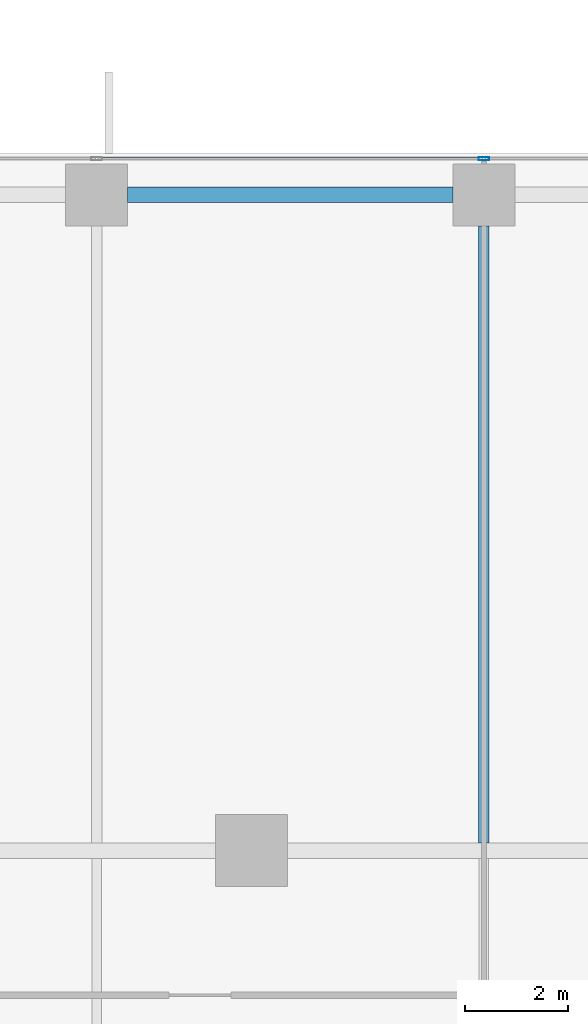
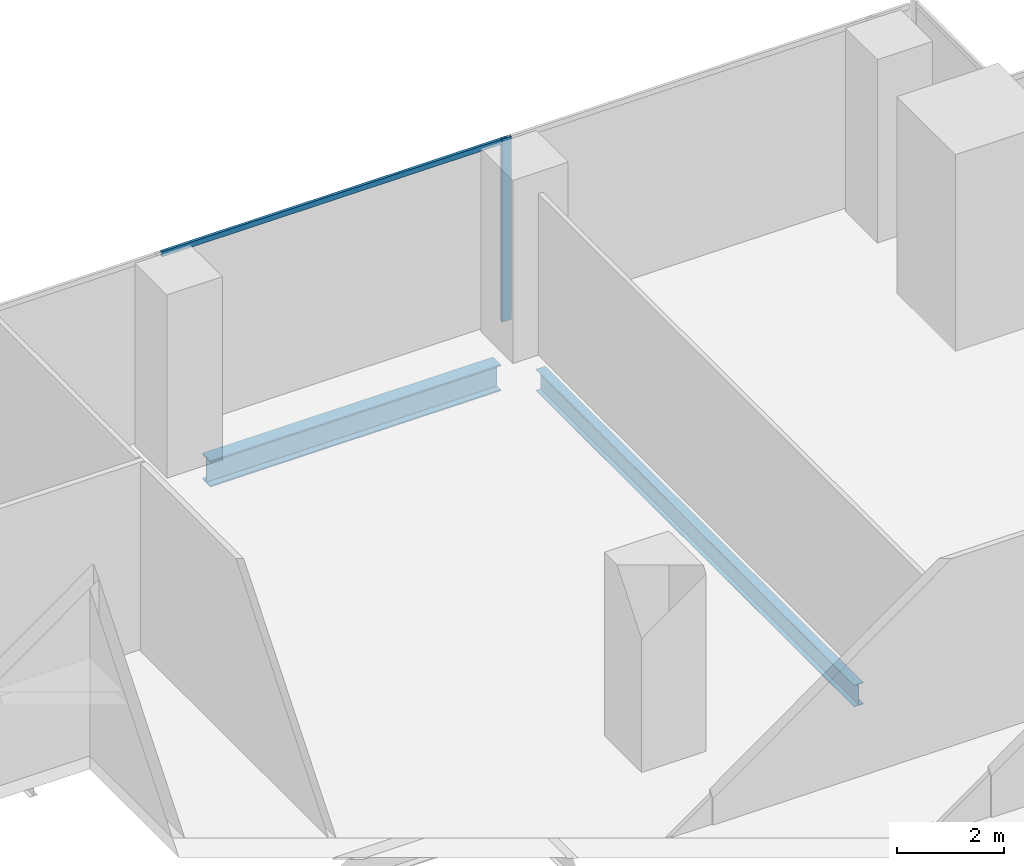
# One storey, part 19 of 33: 2 beams, 2 members, 1 element without a shape of its own.
"""IFC4 building model written with IfcOpenShell, lengths in metres."""

from ifc_helpers import new_model, si_unit, direction, frame, origin, origin_2d, place, context, subcontext, project, spatial, hollow_rectangle, i_section, extrude, source, transform, mapped, material, material_profile, profile_set, type_object, element, aggregate, save


model = new_model("IFC4")

# Units and contexts
model_context = context("Model", 3, precision=1e-05, world=origin(), true_north=direction((0.0, 1.0)))
body_context = subcontext(model_context, "Body", "Model", "MODEL_VIEW")
ifc_project = project(units=[si_unit("LENGTHUNIT", "METRE"), si_unit("AREAUNIT", "SQUARE_METRE"), si_unit("VOLUMEUNIT", "CUBIC_METRE"), si_unit("PLANEANGLEUNIT", "RADIAN"), si_unit("MASSUNIT", "GRAM", prefix="KILO")], contexts=[model_context])

# Site, building, storey
site_placement = place(None, origin())
site = spatial("IfcSite", under=ifc_project, at=site_placement, CompositionType="ELEMENT")
building_placement = place(site_placement, origin())
building = spatial("IfcBuilding", under=site, at=building_placement, Name="Khomas Fold Tower", CompositionType="ELEMENT")
storey_placement = place(building_placement, frame((0.0, 0.0, 82.5)))
storey = spatial("IfcBuildingStorey", under=building, at=storey_placement, Name="L17", CompositionType="ELEMENT", Elevation=82.5)

# Beams
ifc_material_1 = material(Name="Steel S355", Category="steel")
ifc_material_profile_1 = material_profile(ifc_material_1, i_section(OverallWidth=0.300048828125, OverallDepth=0.60009765625, WebThickness=0.015380859375, FlangeThickness=0.030029296875, at=origin_2d()), Name="HE 600 B")
ifc_profile_set_1 = profile_set([ifc_material_profile_1], Name="Steel S355")
beam_type_1 = type_object("IfcBeamType", Name="HE 600 B spandrel SB1", PredefinedType="SPANDREL", material=ifc_profile_set_1)
shared_shape_1 = source(origin(), body_context, "Body", "SweptSolid", [
    extrude(i_section(OverallWidth=0.300048828125, OverallDepth=0.60009765625, WebThickness=0.015380859375, FlangeThickness=0.030029296875, at=origin_2d()), origin(), (0.0, 0.0, 1.0), 6.2998046875),
])
beam_1_placement = place(storey_placement, frame((35.10009765625, 53.199951171875, -0.60009765625), z_axis=(1.0, 0.0, 0.0), x_axis=(0.0, 1.0, 0.0)))
element("IfcBeam", 1, at=beam_1_placement, inside=storey, type_object=beam_type_1, Name="SB1", PredefinedType="SPANDREL", context=body_context, shape_type="MappedRepresentation", body=[
    mapped(shared_shape_1, transform((0.0, 0.0, 0.0))),
])
ifc_material_2 = material(Name="Steel S355", Category="steel")
ifc_material_profile_2 = material_profile(ifc_material_2, i_section(OverallWidth=0.199951171875, OverallDepth=0.5, WebThickness=0.01025390625, FlangeThickness=0.01611328125, at=origin_2d()), Name="IPE 500")
ifc_profile_set_2 = profile_set([ifc_material_profile_2], Name="Steel S355")
beam_type_2 = type_object("IfcBeamType", Name="IPE 500 beam JB5", PredefinedType="BEAM", material=ifc_profile_set_2)
shared_shape_2 = source(origin(), body_context, "Body", "SweptSolid", [
    extrude(i_section(OverallWidth=0.199951171875, OverallDepth=0.5, WebThickness=0.01025390625, FlangeThickness=0.01611328125, at=origin_2d()), origin(), (0.0, 0.0, 1.0), 11.9501953125),
])
beam_2_placement = place(storey_placement, frame((42.0, 40.64990234375, -0.550048828125), z_axis=(0.0, 1.0, 0.0), x_axis=(-1.0, 0.0, 0.0)))
element("IfcBeam", 2, at=beam_2_placement, inside=storey, type_object=beam_type_2, Name="JB5", PredefinedType="BEAM", context=body_context, shape_type="MappedRepresentation", body=[
    mapped(shared_shape_2, transform((0.0, 0.0, 0.0))),
])

# Curtain wall, members
ifc_material_3 = material(Name="Aluminium framed double glazing", Category="aluminium")
curtain_wall_type = type_object("IfcCurtainWallType", Name="SK-Unitised clear-glass wall, growing floors CW1", PredefinedType="NOTDEFINED", material=ifc_material_3)
curtain_wall_placement = place(storey_placement, origin())
curtain_wall = element("IfcCurtainWall", 3, at=curtain_wall_placement, inside=storey, type_object=curtain_wall_type, Name="CW1 run L17 06-0", PredefinedType="NOTDEFINED")
ifc_material_4 = material(Name="Aluminium", Category="aluminium")
ifc_material_profile_3 = material_profile(ifc_material_4, hollow_rectangle(XDim=0.06005859375, YDim=0.1201171875, WallThickness=0.00390625, at=origin_2d()), Name="SK-Unitised clear-glass wall, growing floors transom CW1-T")
ifc_profile_set_3 = profile_set([ifc_material_profile_3], Name="Aluminium")
member_type_1 = type_object("IfcMemberType", Name="SK-Unitised clear-glass wall, growing floors transom CW1-T", PredefinedType="USERDEFINED", material=ifc_profile_set_3)
shared_shape_3 = source(origin(), body_context, "Body", "SweptSolid", [
    extrude(hollow_rectangle(XDim=0.06005859375, YDim=0.1201171875, WallThickness=0.00390625, at=origin_2d()), origin(), (0.0, 0.0, 1.0), 7.43994140625),
])
member_1_placement = place(storey_placement, frame((41.969970703125, 53.89990234375, 4.139892578125), z_axis=(-1.0, 0.0, 0.0), x_axis=(0.0, -1.0, 0.0)))
member_1 = element("IfcMember", 4, at=member_1_placement, type_object=member_type_1, Name="CW1 transom 3", ObjectType="TRANSOM", PredefinedType="USERDEFINED", context=body_context, shape_type="MappedRepresentation", body=[
    mapped(shared_shape_3, transform((0.0, 0.0, 0.0))),
])
ifc_material_5 = material(Name="Aluminium", Category="aluminium")
ifc_material_profile_4 = material_profile(ifc_material_5, hollow_rectangle(XDim=0.06005859375, YDim=0.199951171875, WallThickness=0.00390625, at=origin_2d()), Name="SK-Unitised clear-glass wall, growing floors mullion CW1-M")
ifc_profile_set_4 = profile_set([ifc_material_profile_4], Name="Aluminium")
member_type_2 = type_object("IfcMemberType", Name="SK-Unitised clear-glass wall, growing floors mullion CW1-M", PredefinedType="MULLION", material=ifc_profile_set_4)
shared_shape_4 = source(origin(), body_context, "Body", "SweptSolid", [
    extrude(hollow_rectangle(XDim=0.06005859375, YDim=0.199951171875, WallThickness=0.00390625, at=origin_2d()), origin(), (0.0, 0.0, 1.0), 4.199951171875),
])
member_2_placement = place(storey_placement, frame((42.0, 53.89990234375, 0.0), z_axis=(0.0, 0.0, 1.0), x_axis=(0.0, -1.0, 0.0)))
member_2 = element("IfcMember", 5, at=member_2_placement, type_object=member_type_2, Name="CW1 mullion 3", PredefinedType="MULLION", context=body_context, shape_type="MappedRepresentation", body=[
    mapped(shared_shape_4, transform((0.0, 0.0, 0.0))),
])
aggregate(curtain_wall, [member_2, member_1])

save(model, "model.ifc")
